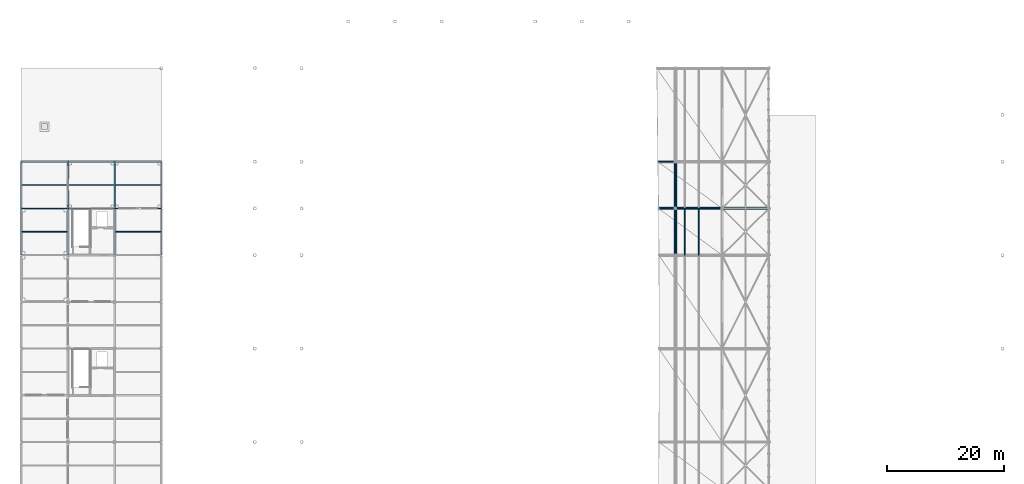
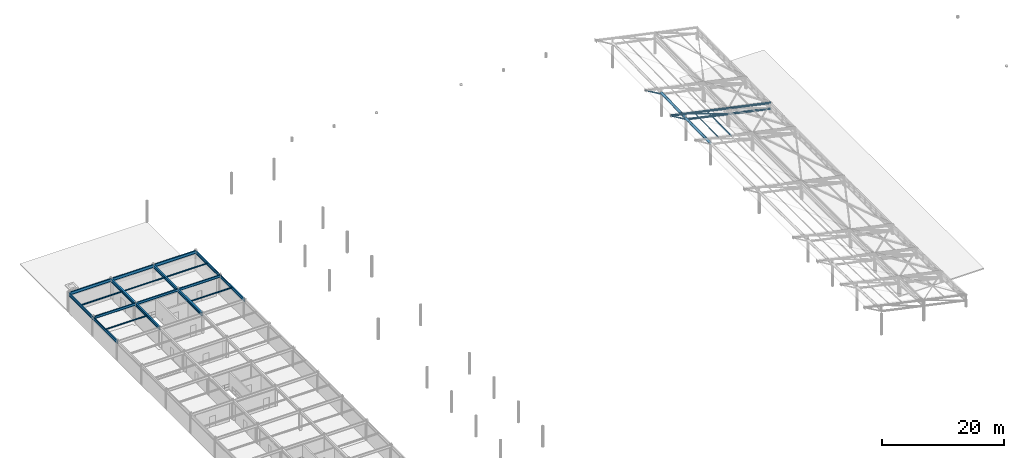
# One storey, part 16 of 41: 21 beams, 7 members.
"""IFC4 building model written with IfcOpenShell, lengths in metres."""

from ifc_helpers import new_model, si_unit, direction, frame, origin, origin_2d, place, context, subcontext, project, spatial, hollow_rectangle, hollow_circle, i_section, extrude, material, material_profile, profile_set, type_object, element, save


model = new_model("IFC4")

# Units and contexts
model_context = context("Model", 3, precision=1e-05, world=origin(), true_north=direction((0.0, 1.0)))
body_context = subcontext(model_context, "Body", "Model", "MODEL_VIEW")
ifc_project = project(units=[si_unit("LENGTHUNIT", "METRE"), si_unit("AREAUNIT", "SQUARE_METRE"), si_unit("VOLUMEUNIT", "CUBIC_METRE"), si_unit("PLANEANGLEUNIT", "RADIAN"), si_unit("MASSUNIT", "GRAM", prefix="KILO")], contexts=[model_context])

# Site, building, storey
site_placement = place(None, origin())
site = spatial("IfcSite", under=ifc_project, at=site_placement, CompositionType="ELEMENT")
building_placement = place(site_placement, origin())
building = spatial("IfcBuilding", under=site, at=building_placement, Name="Haebicheon Civic Stadium", CompositionType="ELEMENT")
storey_placement = place(building_placement, frame((0.0, 0.0, 27.0)))
storey = spatial("IfcBuildingStorey", under=building, at=storey_placement, Name="L07", CompositionType="ELEMENT", Elevation=27.0)

# Beams
ifc_material_1 = material(Name="Steel SM355 (S355)", Category="steel")
ifc_material_profile_1 = material_profile(ifc_material_1, i_section(OverallWidth=0.199951171875, OverallDepth=0.5, WebThickness=0.010009765625, FlangeThickness=0.01611328125, at=origin_2d()), Name="H-500x200x10x16")
ifc_profile_set_1 = profile_set([ifc_material_profile_1], Name="Steel SM355 (S355)")
beam_type_1 = type_object("IfcBeamType", Name="BM-ST-H500", PredefinedType="BEAM", material=ifc_profile_set_1)
for number, where, z_axis, x_axis, name in (
    (1, (24.0, 112.0, 3.72998046875), (1.0, 0.0, 0.0), (0.0, 1.0, 0.0), "L07 beam Q/4-5"),
    (2, (32.0, 112.0, 3.72998046875), (1.0, 0.0, 0.0), (0.0, 1.0, 0.0), "L07 beam Q/5-6"),
    (3, (40.0, 112.0, 3.72998046875), (1.0, 0.0, 0.0), (0.0, 1.0, 0.0), "L07 beam Q/6-7"),
):
    element("IfcBeam", number, at=place(storey_placement, frame(where, z_axis=z_axis, x_axis=x_axis)), inside=storey, type_object=beam_type_1, material=ifc_profile_set_1, Name=name, PredefinedType="BEAM", context=body_context, shape_type="SweptSolid", body=[
        extrude(i_section(OverallWidth=0.199951171875, OverallDepth=0.5, WebThickness=0.010009765625, FlangeThickness=0.01611328125, at=origin_2d()), origin(), (0.0, 0.0, 1.0), 8.0),
    ])
ifc_material_2 = material(Name="Steel SM355 (S355)", Category="steel")
ifc_material_profile_2 = material_profile(ifc_material_2, i_section(OverallWidth=0.300048828125, OverallDepth=0.60009765625, WebThickness=0.011962890625, FlangeThickness=0.02001953125, at=origin_2d()), Name="H-600x300x12x20")
ifc_profile_set_2 = profile_set([ifc_material_profile_2], Name="Steel SM355 (S355)")
beam_type_2 = type_object("IfcBeamType", Name="BM-ST-H600A", PredefinedType="BEAM", material=ifc_profile_set_2)
for number, where, z_axis, x_axis, name in (
    (4, (32.0, 104.0, 3.679931640625), (0.0, 1.0, 0.0), (-1.0, 0.0, 0.0), "L07 girder 5/P-Q"),
    (5, (32.0, 112.0, 3.679931640625), (0.0, 1.0, 0.0), (-1.0, 0.0, 0.0), "L07 girder 5/Q-R"),
    (6, (40.0, 104.0, 3.679931640625), (0.0, 1.0, 0.0), (-1.0, 0.0, 0.0), "L07 girder 6/P-Q"),
    (7, (40.0, 112.0, 3.679931640625), (0.0, 1.0, 0.0), (-1.0, 0.0, 0.0), "L07 girder 6/Q-R"),
):
    element("IfcBeam", number, at=place(storey_placement, frame(where, z_axis=z_axis, x_axis=x_axis)), inside=storey, type_object=beam_type_2, material=ifc_profile_set_2, Name=name, PredefinedType="BEAM", context=body_context, shape_type="SweptSolid", body=[
        extrude(i_section(OverallWidth=0.300048828125, OverallDepth=0.60009765625, WebThickness=0.011962890625, FlangeThickness=0.02001953125, at=origin_2d()), origin(), (0.0, 0.0, 1.0), 8.0),
    ])

# Members
ifc_material_3 = material(Name="White painted steel SM490", Category="steel")
ifc_material_profile_3 = material_profile(ifc_material_3, hollow_circle(Radius=0.1337890625, WallThickness=0.011962890625, at=origin_2d()), Name="CHS-267.4x12.0")
ifc_profile_set_3 = profile_set([ifc_material_profile_3], Name="White painted steel SM490")
member_type_1 = type_object("IfcMemberType", Name="BRC-CHS267", PredefinedType="BRACE", material=ifc_profile_set_3)
member_1_placement = place(storey_placement, frame((135.881103515625, 112.0, 4.2548828125), z_axis=(-0.853187395002, 0.0, 0.521604513984), x_axis=(0.0, -1.0, 0.0)))
element("IfcMember", 8, at=member_1_placement, inside=storey, type_object=member_type_1, material=ifc_profile_set_3, Name="BR267 diagonal brace CAN-EAST truss 7 tip", PredefinedType="BRACE", context=body_context, shape_type="SweptSolid", body=[
    extrude(hollow_circle(Radius=0.1337890625, WallThickness=0.011962890625, at=origin_2d()), origin(), (0.0, 0.0, 1.0), 3.259521484375),
])
member_2_placement = place(storey_placement, frame((144.0, 112.0, 2.4619140625), z_axis=(-0.941257424358, 0.0, 0.337689888939), x_axis=(0.0, -1.0, 0.0)))
element("IfcMember", 9, at=member_2_placement, inside=storey, type_object=member_type_1, material=ifc_profile_set_3, Name="BR267 diagonal brace CAN-EAST truss 7 D2", PredefinedType="BRACE", context=body_context, shape_type="SweptSolid", body=[
    extrude(hollow_circle(Radius=0.1337890625, WallThickness=0.011962890625, at=origin_2d()), origin(), (0.0, 0.0, 1.0), 8.499267578125),
])
member_3_placement = place(storey_placement, frame((135.8798828125, 120.0, 4.4599609375), z_axis=(-0.859424380547, 0.0, 0.51126288162), x_axis=(0.0, -1.0, 0.0)))
element("IfcMember", 10, at=member_3_placement, inside=storey, type_object=member_type_1, material=ifc_profile_set_3, Name="BR267 diagonal brace CAN-EAST truss 8 tip", PredefinedType="BRACE", context=body_context, shape_type="SweptSolid", body=[
    extrude(hollow_circle(Radius=0.1337890625, WallThickness=0.011962890625, at=origin_2d()), origin(), (0.0, 0.0, 1.0), 3.3798828125),
])
ifc_material_4 = material(Name="White painted steel SM490", Category="steel")
ifc_material_profile_4 = material_profile(ifc_material_4, hollow_circle(Radius=0.203125, WallThickness=0.01806640625, at=origin_2d()), Name="CHS-406.4x18.0")
ifc_profile_set_4 = profile_set([ifc_material_profile_4], Name="White painted steel SM490")
member_type_2 = type_object("IfcMemberType", Name="CHD-CHS406", PredefinedType="CHORD", material=ifc_profile_set_4)
member_4_placement = place(storey_placement, frame((152.0, 112.0, 1.89208984375), z_axis=(-0.977664330265, 0.0, 0.210172446641), x_axis=(0.0, -1.0, 0.0)))
element("IfcMember", 11, at=member_4_placement, inside=storey, type_object=member_type_2, material=ifc_profile_set_4, Name="CH406 truss chord CAN-EAST 7 top", PredefinedType="CHORD", context=body_context, shape_type="SweptSolid", body=[
    extrude(hollow_circle(Radius=0.203125, WallThickness=0.01806640625, at=origin_2d()), origin(), (0.0, 0.0, 1.0), 19.331787109375),
])
member_5_placement = place(storey_placement, frame((152.0, 112.0, 0.741943359375), z_axis=(-0.977659849808, 0.0, 0.210193287411), x_axis=(0.0, -1.0, 0.0)))
element("IfcMember", 12, at=member_5_placement, inside=storey, type_object=member_type_2, material=ifc_profile_set_4, Name="CH406 truss chord CAN-EAST 7 bottom", PredefinedType="CHORD", context=body_context, shape_type="SweptSolid", body=[
    extrude(hollow_circle(Radius=0.203125, WallThickness=0.01806640625, at=origin_2d()), origin(), (0.0, 0.0, 1.0), 16.36572265625),
])

# Beams
ifc_material_5 = material(Name="Steel SM355 (S355)", Category="steel")
ifc_material_profile_5 = material_profile(ifc_material_5, i_section(OverallWidth=0.125, OverallDepth=0.25, WebThickness=0.006103515625, FlangeThickness=0.009033203125, at=origin_2d()), Name="H-250x125x6x9")
ifc_profile_set_5 = profile_set([ifc_material_profile_5], Name="Steel SM355 (S355)")
beam_type_3 = type_object("IfcBeamType", Name="JST-ST-H250", PredefinedType="JOIST", material=ifc_profile_set_5)
for number, where, z_axis, x_axis, name in (
    (13, (24.10009765625, 108.0, 3.85498046875), (1.0, 0.0, 0.0), (0.0, 1.0, 0.0), "L07 secondary joist 03-13"),
    (14, (24.10009765625, 116.0, 3.85498046875), (1.0, 0.0, 0.0), (0.0, 1.0, 0.0), "L07 secondary joist 03-14"),
):
    element("IfcBeam", number, at=place(storey_placement, frame(where, z_axis=z_axis, x_axis=x_axis)), inside=storey, type_object=beam_type_3, material=ifc_profile_set_5, Name=name, PredefinedType="JOIST", context=body_context, shape_type="SweptSolid", body=[
        extrude(i_section(OverallWidth=0.125, OverallDepth=0.25, WebThickness=0.006103515625, FlangeThickness=0.009033203125, at=origin_2d()), origin(), (0.0, 0.0, 1.0), 7.75),
    ])
beam_1_placement = place(storey_placement, frame((32.14990234375, 116.0, 3.85498046875), z_axis=(1.0, 0.0, 0.0), x_axis=(0.0, 1.0, 0.0)))
element("IfcBeam", 15, at=beam_1_placement, inside=storey, type_object=beam_type_3, material=ifc_profile_set_5, Name="L07 secondary joist 04-14", PredefinedType="JOIST", context=body_context, shape_type="SweptSolid", body=[
    extrude(i_section(OverallWidth=0.125, OverallDepth=0.25, WebThickness=0.006103515625, FlangeThickness=0.009033203125, at=origin_2d()), origin(), (0.0, 0.0, 1.0), 7.7001953125),
])
for number, where, z_axis, x_axis, name in (
    (16, (40.14990234375, 108.0, 3.85498046875), (1.0, 0.0, 0.0), (0.0, 1.0, 0.0), "L07 secondary joist 05-13"),
    (17, (40.14990234375, 116.0, 3.85498046875), (1.0, 0.0, 0.0), (0.0, 1.0, 0.0), "L07 secondary joist 05-14"),
):
    element("IfcBeam", number, at=place(storey_placement, frame(where, z_axis=z_axis, x_axis=x_axis)), inside=storey, type_object=beam_type_3, material=ifc_profile_set_5, Name=name, PredefinedType="JOIST", context=body_context, shape_type="SweptSolid", body=[
        extrude(i_section(OverallWidth=0.125, OverallDepth=0.25, WebThickness=0.006103515625, FlangeThickness=0.009033203125, at=origin_2d()), origin(), (0.0, 0.0, 1.0), 7.75),
    ])

# Members
ifc_material_6 = material(Name="White painted steel SM490", Category="steel")
ifc_material_profile_6 = material_profile(ifc_material_6, hollow_rectangle(XDim=0.10009765625, YDim=0.199951171875, WallThickness=0.008056640625, at=origin_2d()), Name="RHS-200x100x8.0")
ifc_profile_set_6 = profile_set([ifc_material_profile_6], Name="White painted steel SM490")
member_type_3 = type_object("IfcMemberType", Name="PRL-RHS200", PredefinedType="RAFTER", material=ifc_profile_set_6)
member_6_placement = place(storey_placement, frame((137.60009765625, 104.0, 4.822021484375), z_axis=(0.0, 0.999879851243, 0.01550106703), x_axis=(-1.0, 0.0, 0.0)))
element("IfcMember", 18, at=member_6_placement, inside=storey, type_object=member_type_3, material=ifc_profile_set_6, Name="CAN-EAST canopy purlin bay 6 (90%)", PredefinedType="RAFTER", context=body_context, shape_type="SweptSolid", body=[
    extrude(hollow_rectangle(XDim=0.10009765625, YDim=0.199951171875, WallThickness=0.008056640625, at=origin_2d()), origin(), (0.0, 0.0, 1.0), 8.0009765625),
])
ifc_material_7 = material(Name="White painted steel SM490", Category="steel")
ifc_material_profile_7 = material_profile(ifc_material_7, hollow_rectangle(XDim=0.14990234375, YDim=0.25, WallThickness=0.010009765625, at=origin_2d()), Name="RHS-250x150x10.0")
ifc_profile_set_7 = profile_set([ifc_material_profile_7], Name="White painted steel SM490")
member_type_4 = type_object("IfcMemberType", Name="PRL-RHS250", PredefinedType="PURLIN", material=ifc_profile_set_7)
member_7_placement = place(storey_placement, frame((140.0, 104.0, 4.281005859375), z_axis=(0.0, 0.999879851243, 0.01550106703), x_axis=(-1.0, 0.0, 0.0)))
element("IfcMember", 19, at=member_7_placement, inside=storey, type_object=member_type_4, material=ifc_profile_set_7, Name="CAN-EAST canopy purlin bay 6 (75%)", PredefinedType="PURLIN", context=body_context, shape_type="SweptSolid", body=[
    extrude(hollow_rectangle(XDim=0.14990234375, YDim=0.25, WallThickness=0.010009765625, at=origin_2d()), origin(), (0.0, 0.0, 1.0), 8.0009765625),
])

# Beams
ifc_material_8 = material(Name="White painted steel SM490", Category="steel")
ifc_material_profile_8 = material_profile(ifc_material_8, hollow_circle(Radius=0.25390625, WallThickness=0.02490234375, at=origin_2d()), Name="CHS-508.0x25.0")
ifc_profile_set_8 = profile_set([ifc_material_profile_8], Name="White painted steel SM490")
beam_type_4 = type_object("IfcBeamType", Name="RB-ST-CHS508", PredefinedType="USERDEFINED", material=ifc_profile_set_8)
beam_2_placement = place(storey_placement, frame((136.0, 104.0, 4.30810546875), z_axis=(0.0, 0.999880323719, 0.015470560429), x_axis=(-1.0, 0.0, 0.0)))
element("IfcBeam", 20, at=beam_2_placement, inside=storey, type_object=beam_type_4, material=ifc_profile_set_8, Name="CAN-EAST polygonal ring beam RB-PIR bay 6", ObjectType="RING BEAM", PredefinedType="USERDEFINED", context=body_context, shape_type="SweptSolid", body=[
    extrude(hollow_circle(Radius=0.25390625, WallThickness=0.02490234375, at=origin_2d()), origin(), (0.0, 0.0, 1.0), 8.0009765625),
])
beam_3_placement = place(storey_placement, frame((136.0, 112.0, 4.431884765625), z_axis=(0.0, 0.999668457655, 0.025748296456), x_axis=(-1.0, 0.0, 0.0)))
element("IfcBeam", 21, at=beam_3_placement, inside=storey, type_object=beam_type_4, material=ifc_profile_set_8, Name="CAN-EAST polygonal ring beam RB-PIR bay 7", ObjectType="RING BEAM", PredefinedType="USERDEFINED", context=body_context, shape_type="SweptSolid", body=[
    extrude(hollow_circle(Radius=0.25390625, WallThickness=0.02490234375, at=origin_2d()), origin(), (0.0, 0.0, 1.0), 8.002685546875),
])
ifc_material_9 = material(Name="Steel SM355 (S355)", Category="steel")
ifc_material_profile_9 = material_profile(ifc_material_9, i_section(OverallWidth=0.199951171875, OverallDepth=0.60009765625, WebThickness=0.010986328125, FlangeThickness=0.01708984375, at=origin_2d()), Name="H-600x200x11x17")
ifc_profile_set_9 = profile_set([ifc_material_profile_9], Name="Steel SM355 (S355)")
beam_type_5 = type_object("IfcBeamType", Name="SPD-ST-H600B", PredefinedType="SPANDREL", material=ifc_profile_set_9)
for number, where, z_axis, x_axis, name in (
    (22, (24.0, 104.0, 3.679931640625), (0.0, 1.0, 0.0), (-1.0, 0.0, 0.0), "L07 girder 4/P-Q"),
    (23, (24.0, 112.0, 3.679931640625), (0.0, 1.0, 0.0), (-1.0, 0.0, 0.0), "L07 girder 4/Q-R"),
    (24, (48.0, 104.0, 3.679931640625), (0.0, 1.0, 0.0), (-1.0, 0.0, 0.0), "L07 girder 7/P-Q"),
    (25, (48.0, 112.0, 3.679931640625), (0.0, 1.0, 0.0), (-1.0, 0.0, 0.0), "L07 girder 7/Q-R"),
    (26, (24.0, 120.0, 3.679931640625), (1.0, 0.0, 0.0), (0.0, 1.0, 0.0), "L07 beam R/4-5"),
    (27, (32.0, 120.0, 3.679931640625), (1.0, 0.0, 0.0), (0.0, 1.0, 0.0), "L07 beam R/5-6"),
    (28, (40.0, 120.0, 3.679931640625), (1.0, 0.0, 0.0), (0.0, 1.0, 0.0), "L07 beam R/6-7"),
):
    element("IfcBeam", number, at=place(storey_placement, frame(where, z_axis=z_axis, x_axis=x_axis)), inside=storey, type_object=beam_type_5, material=ifc_profile_set_9, Name=name, PredefinedType="SPANDREL", context=body_context, shape_type="SweptSolid", body=[
        extrude(i_section(OverallWidth=0.199951171875, OverallDepth=0.60009765625, WebThickness=0.010986328125, FlangeThickness=0.01708984375, at=origin_2d()), origin(), (0.0, 0.0, 1.0), 8.0),
    ])

save(model, "model.ifc")
